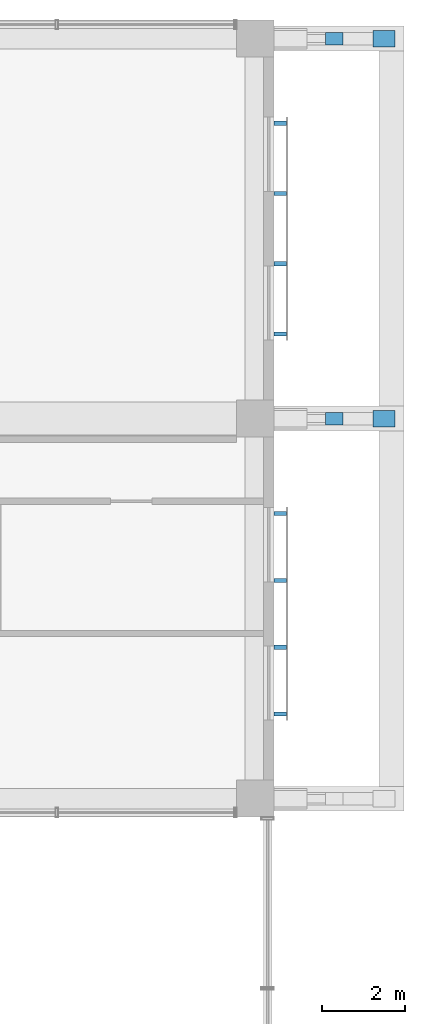
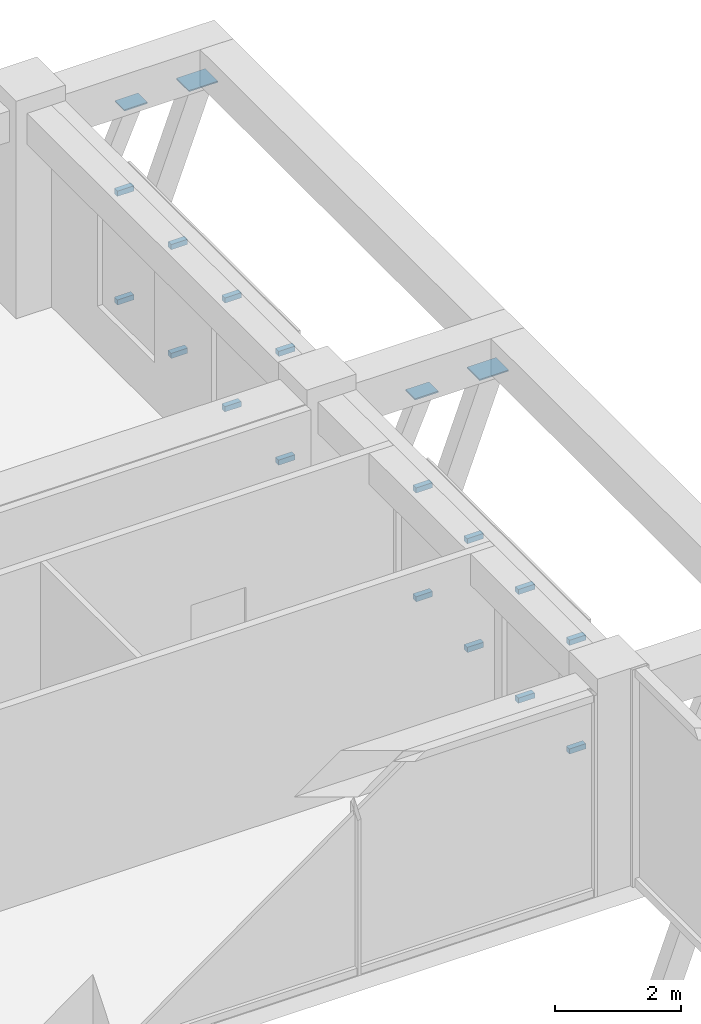
# One storey, part 32 of 38: 20 discrete accessories.
"""IFC4 building model written with IfcOpenShell, lengths in metres."""

from ifc_helpers import new_model, si_unit, direction, frame, origin, origin_2d, place, context, subcontext, project, spatial, rectangle, extrude, element, save


model = new_model("IFC4")

# Units and contexts
model_context = context("Model", 3, precision=1e-05, world=origin(), true_north=direction((0.0, 1.0)))
body_context = subcontext(model_context, "Body", "Model", "MODEL_VIEW")
ifc_project = project(units=[si_unit("LENGTHUNIT", "METRE"), si_unit("AREAUNIT", "SQUARE_METRE"), si_unit("VOLUMEUNIT", "CUBIC_METRE"), si_unit("PLANEANGLEUNIT", "RADIAN"), si_unit("MASSUNIT", "GRAM", prefix="KILO")], contexts=[model_context])

# Site, building, storey
site_placement = place(None, origin())
site = spatial("IfcSite", under=ifc_project, at=site_placement, CompositionType="ELEMENT")
building_placement = place(site_placement, origin())
building = spatial("IfcBuilding", under=site, at=building_placement, Name="Nzadi Deep Aquarium and Research Tower", CompositionType="ELEMENT")
storey_placement = place(building_placement, frame((0.0, 0.0, 48.699951171875)))
storey = spatial("IfcBuildingStorey", under=building, at=storey_placement, Name="L09", CompositionType="ELEMENT", Elevation=48.699951171875)

# Discrete accessories
for number, where, z_axis, x_axis, name in (
    (1, (51.116455078125, 36.800048828125, 3.0751953125), (0.0, 0.0, 1.0), (1.0, 0.0, 0.0), "Strut head end plate"),
    (2, (51.116455078125, 46.0, 3.0751953125), (0.0, 0.0, 1.0), (1.0, 0.0, 0.0), "Strut head end plate"),
):
    element("IfcDiscreteAccessory", number, at=place(storey_placement, frame(where, z_axis=z_axis, x_axis=x_axis)), inside=storey, Name=name, PredefinedType="BRACKET", context=body_context, shape_type="SweptSolid", body=[
        extrude(rectangle(XDim=0.526611328125, YDim=0.39990234375, at=origin_2d()), origin(), (0.0, 0.0, 1.0), 0.02490234375),
    ])
for number, where, z_axis, x_axis, name in (
    (3, (49.914794921875, 36.800048828125, 3.0751953125), (0.0, 0.0, 1.0), (1.0, 0.0, 0.0), "Strut head end plate"),
    (4, (49.914794921875, 46.0, 3.0751953125), (0.0, 0.0, 1.0), (1.0, 0.0, 0.0), "Strut head end plate"),
):
    element("IfcDiscreteAccessory", number, at=place(storey_placement, frame(where, z_axis=z_axis, x_axis=x_axis)), inside=storey, Name=name, PredefinedType="BRACKET", context=body_context, shape_type="SweptSolid", body=[
        extrude(rectangle(XDim=0.4267578125, YDim=0.300048828125, at=origin_2d()), origin(), (0.0, 0.0, 1.0), 0.02490234375),
    ])
for number, where, z_axis, x_axis, name in (
    (5, (48.60009765625, 29.64990234375, 0.949951171875), (0.0, 0.0, 1.0), (1.0, 0.0, 0.0), "Screen bracket L09"),
    (6, (48.60009765625, 29.64990234375, 3.050048828125), (0.0, 0.0, 1.0), (1.0, 0.0, 0.0), "Screen bracket L09"),
    (7, (48.60009765625, 31.2666015625, 0.949951171875), (0.0, 0.0, 1.0), (1.0, 0.0, 0.0), "Screen bracket L09"),
    (8, (48.60009765625, 31.2666015625, 3.050048828125), (0.0, 0.0, 1.0), (1.0, 0.0, 0.0), "Screen bracket L09"),
    (9, (48.60009765625, 32.88330078125, 0.949951171875), (0.0, 0.0, 1.0), (1.0, 0.0, 0.0), "Screen bracket L09"),
    (10, (48.60009765625, 32.88330078125, 3.050048828125), (0.0, 0.0, 1.0), (1.0, 0.0, 0.0), "Screen bracket L09"),
    (11, (48.60009765625, 34.5, 0.949951171875), (0.0, 0.0, 1.0), (1.0, 0.0, 0.0), "Screen bracket L09"),
    (12, (48.60009765625, 34.5, 3.050048828125), (0.0, 0.0, 1.0), (1.0, 0.0, 0.0), "Screen bracket L09"),
    (13, (48.60009765625, 38.85009765625, 0.949951171875), (0.0, 0.0, 1.0), (1.0, 0.0, 0.0), "Screen bracket L09"),
    (14, (48.60009765625, 38.85009765625, 3.050048828125), (0.0, 0.0, 1.0), (1.0, 0.0, 0.0), "Screen bracket L09"),
    (15, (48.60009765625, 40.550048828125, 0.949951171875), (0.0, 0.0, 1.0), (1.0, 0.0, 0.0), "Screen bracket L09"),
    (16, (48.60009765625, 40.550048828125, 3.050048828125), (0.0, 0.0, 1.0), (1.0, 0.0, 0.0), "Screen bracket L09"),
    (17, (48.60009765625, 42.25, 0.949951171875), (0.0, 0.0, 1.0), (1.0, 0.0, 0.0), "Screen bracket L09"),
    (18, (48.60009765625, 42.25, 3.050048828125), (0.0, 0.0, 1.0), (1.0, 0.0, 0.0), "Screen bracket L09"),
    (19, (48.60009765625, 43.949951171875, 0.949951171875), (0.0, 0.0, 1.0), (1.0, 0.0, 0.0), "Screen bracket L09"),
    (20, (48.60009765625, 43.949951171875, 3.050048828125), (0.0, 0.0, 1.0), (1.0, 0.0, 0.0), "Screen bracket L09"),
):
    element("IfcDiscreteAccessory", number, at=place(storey_placement, frame(where, z_axis=z_axis, x_axis=x_axis)), inside=storey, Name=name, PredefinedType="BRACKET", context=body_context, shape_type="SweptSolid", body=[
        extrude(rectangle(XDim=0.300048828125, YDim=0.10009765625, at=origin_2d()), origin(), (0.0, 0.0, 1.0), 0.10009765625),
    ])

save(model, "model.ifc")
